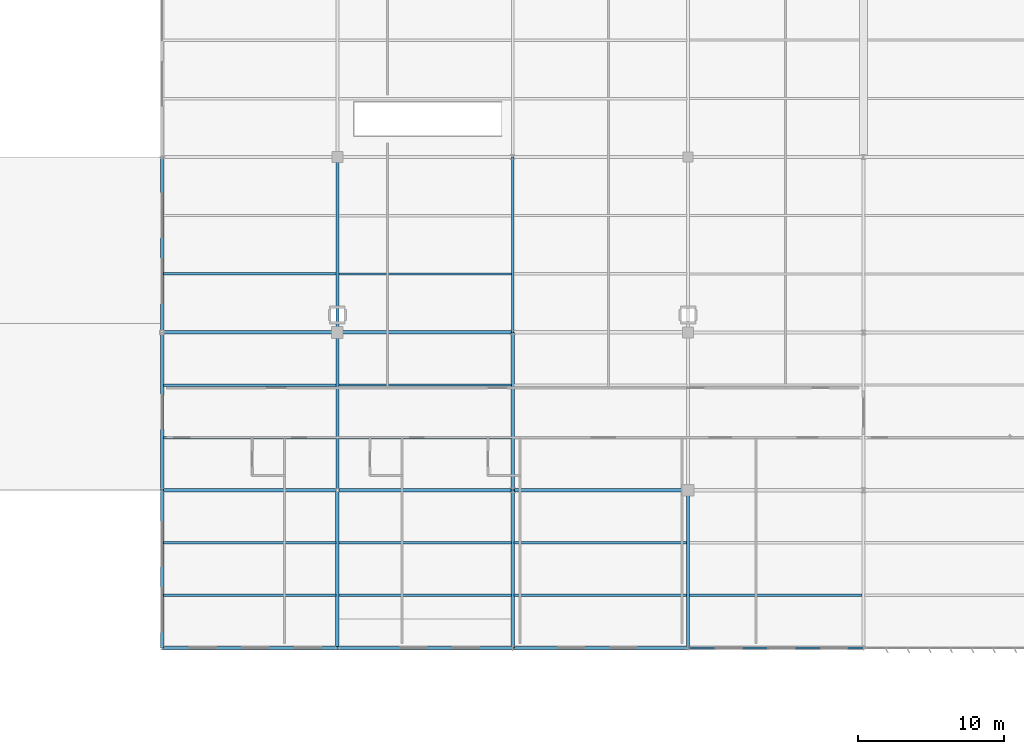
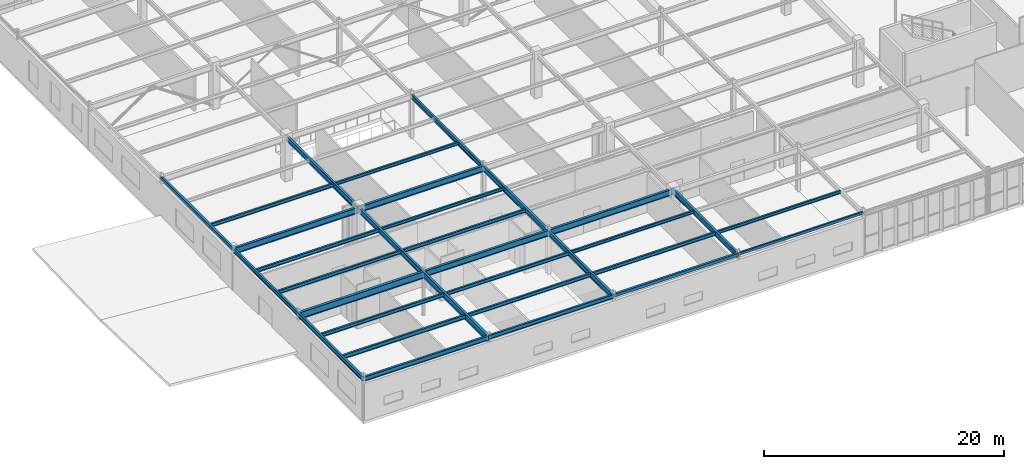
# One storey, part 67 of 199: 32 beams.
"""IFC4 building model written with IfcOpenShell, lengths in metres."""

import ifcopenshell
import ifcopenshell.guid

model = None  # the IFC model being written
_history = None  # IfcOwnerHistory: only IFC2X3 demands one
_inside = {}  # id of a spatial element -> (the spatial element, [elements in it])
_under = {}  # id of a project, library or spatial element -> (it, [spatial elements below it])
_declared = {}  # id of a project -> (the project, [libraries it declares])
_typed = {}  # id of a type object -> (the type object, [elements of that type])
_made_of = {}  # id of a material, layer set ... -> (it, [elements and type objects made of it])


def new_model(schema):
    """Start an empty IFC model of exactly this schema.

    Asked for "IFC4X3", IfcOpenShell would pick the latest addendum, in which some entities
    have other attributes; the version numbers below select the first issue.
    IFC2X3 requires an IfcOwnerHistory on every rooted entity: one is made here for all.
    """
    global model, _history
    if schema == "IFC4X3":
        model = ifcopenshell.file(schema_version=(4, 3, 0, 0))
    else:
        model = ifcopenshell.file(schema=schema)
    _inside.clear()
    _under.clear()
    _declared.clear()
    _typed.clear()
    _made_of.clear()
    _history = None
    if model.schema == "IFC2X3":
        org = make("IfcOrganization", Name="unknown")
        user = make(
            "IfcPersonAndOrganization",
            ThePerson=make("IfcPerson", FamilyName="unknown"),
            TheOrganization=org,
        )
        app = make(
            "IfcApplication",
            ApplicationDeveloper=org,
            Version="unknown",
            ApplicationFullName="unknown",
            ApplicationIdentifier="unknown",
        )
        _history = make(
            "IfcOwnerHistory",
            OwningUser=user,
            OwningApplication=app,
            ChangeAction="ADDED",
            CreationDate=0,
        )
    return model


def make(cls, **values):
    """One entity of the class cls with the attributes given. An attribute that is None is left unset."""
    return model.create_entity(
        cls, **{name: value for name, value in values.items() if value is not None}
    )


def rooted(cls, **values):
    """An entity with a GlobalId (a new one), such as an element, a storey or a relation."""
    return make(cls, GlobalId=ifcopenshell.guid.new(), OwnerHistory=_history, **values)


def si_unit(unit_type, name, prefix=None):
    """IfcSIUnit, for example si_unit("LENGTHUNIT", "METRE", prefix="MILLI")."""
    return make("IfcSIUnit", UnitType=unit_type, Prefix=prefix, Name=name)


def assignment(units):
    """IfcUnitAssignment: the units of a project."""
    return None if units is None else make("IfcUnitAssignment", Units=units)


def point(xyz):
    """IfcCartesianPoint."""
    return None if xyz is None else make("IfcCartesianPoint", Coordinates=xyz)


def direction(xyz):
    """IfcDirection."""
    return None if xyz is None else make("IfcDirection", DirectionRatios=xyz)


def frame(location, z_axis=None, x_axis=None):
    """IfcAxis2Placement3D, a coordinate frame: its origin and axes. An axis left out is left unset."""
    return make(
        "IfcAxis2Placement3D",
        Location=point(location),
        Axis=direction(z_axis),
        RefDirection=direction(x_axis),
    )


def frame_2d(location, x_axis=None):
    """IfcAxis2Placement2D, a coordinate frame in the plane: its origin and x axis."""
    return make(
        "IfcAxis2Placement2D", Location=point(location), RefDirection=direction(x_axis)
    )


def origin():
    """The frame at (0, 0, 0) with its axes left unset."""
    return frame((0.0, 0.0, 0.0))


def origin_2d():
    """The frame at (0, 0) in the plane with its x axis left unset."""
    return frame_2d((0.0, 0.0))


def place(relative_to, where):
    """IfcLocalPlacement: puts the frame where relative to a parent placement (None: the world)."""
    return make(
        "IfcLocalPlacement", PlacementRelTo=relative_to, RelativePlacement=where
    )


def context(
    kind, dimensions, precision=None, world=None, true_north=None, identifier=None
):
    """IfcGeometricRepresentationContext, for example the 3D "Model" context."""
    return make(
        "IfcGeometricRepresentationContext",
        ContextIdentifier=identifier,
        ContextType=kind,
        CoordinateSpaceDimension=dimensions,
        Precision=precision,
        WorldCoordinateSystem=world,
        TrueNorth=true_north,
    )


def subcontext(parent, identifier, kind, view, scale=None):
    """IfcGeometricRepresentationSubContext, for example "Body" below "Model"."""
    return make(
        "IfcGeometricRepresentationSubContext",
        ContextIdentifier=identifier,
        ContextType=kind,
        ParentContext=parent,
        TargetScale=scale,
        TargetView=view,
    )


def project(units=None, contexts=None):
    """IfcProject with its units and contexts."""
    return rooted(
        "IfcProject",
        Name="project",
        RepresentationContexts=contexts,
        UnitsInContext=assignment(units),
    )


def spatial(cls, under=None, at=None, **own):
    """A site, building, storey or space (cls), placed at a placement, below another one or the project."""
    s = rooted(cls, ObjectPlacement=at, **own)
    if under is not None:
        _under.setdefault(under.id(), (under, []))[1].append(s)
    return s


def profile(cls, at=None, kind="AREA", **sizes):
    """A parametric profile (cls). Its sizes go by their IFC names, for example OverallWidth=200.0."""
    return make(cls, ProfileType=kind, Position=at, **sizes)


def hollow_rectangle(**sizes):
    """IfcRectangleHollowProfileDef."""
    return profile("IfcRectangleHollowProfileDef", **sizes)


def i_section(**sizes):
    """IfcIShapeProfileDef."""
    return profile("IfcIShapeProfileDef", **sizes)


def extrude(swept, where, along, depth):
    """IfcExtrudedAreaSolid: the profile swept, set in the frame where, extruded along a direction by depth."""
    return make(
        "IfcExtrudedAreaSolid",
        SweptArea=swept,
        Position=where,
        ExtrudedDirection=direction(along),
        Depth=depth,
    )


def shape(context_of_items, identifier, shape_type, items):
    """IfcShapeRepresentation: the items that make up one representation, for example the "Body"."""
    return make(
        "IfcShapeRepresentation",
        ContextOfItems=context_of_items,
        RepresentationIdentifier=identifier,
        RepresentationType=shape_type,
        Items=items,
    )


def material(Name=None, Category=None):
    """IfcMaterial."""
    return make("IfcMaterial", Name=Name, Category=Category)


def material_profile(
    of_material, cross_section, Name=None, Category=None, Priority=None
):
    """IfcMaterialProfile: a cross section and its material."""
    return make(
        "IfcMaterialProfile",
        Name=Name,
        Material=of_material,
        Profile=cross_section,
        Priority=Priority,
        Category=Category,
    )


def profile_set(profiles, Name=None, composite=None):
    """IfcMaterialProfileSet."""
    return make(
        "IfcMaterialProfileSet",
        Name=Name,
        MaterialProfiles=profiles,
        CompositeProfile=composite,
    )


def made_of(thing, what):
    """Note that an element or type object is made of a material, layer set ...; save() writes the relation."""
    if what is not None:
        _made_of.setdefault(what.id(), (what, []))[1].append(thing)
    return thing


def type_object(cls, material=None, **own):
    """A type object (cls), such as IfcWallType, which elements share."""
    return made_of(rooted(cls, **own), material)


def element(
    cls,
    number,
    at=None,
    inside=None,
    cuts=None,
    type_object=None,
    material=None,
    context=None,
    identifier="Body",
    shape_type=None,
    held_by="IfcProductDefinitionShape",
    body=None,
    shapes=None,
    **own,
):
    """One element of the class cls, such as IfcWall. Its Tag is "e" and its number.

    at: its placement. inside: the storey or other place that contains it. cuts: it is an
    opening in that element (IfcRelVoidsElement). A single representation is given by context,
    identifier, shape_type and body (its items); several are given by shapes. held_by: the class
    of the entity that holds the representations. save() writes the other relations.
    """
    e = rooted(cls, Tag="e%d" % number, ObjectPlacement=at, **own)
    if body is not None:
        shapes = [shape(context, identifier, shape_type, body)]
    if shapes is not None:
        e.Representation = make(held_by, Representations=shapes)
    if inside is not None:
        _inside.setdefault(inside.id(), (inside, []))[1].append(e)
    if cuts is not None:
        rooted(
            "IfcRelVoidsElement", RelatingBuildingElement=cuts, RelatedOpeningElement=e
        )
    if type_object is not None:
        _typed.setdefault(type_object.id(), (type_object, []))[1].append(e)
    return made_of(e, material)


def aggregate(whole, parts):
    """IfcRelAggregates: a whole, such as a stair, and the parts it consists of."""
    return rooted("IfcRelAggregates", RelatingObject=whole, RelatedObjects=parts)


def save(model, path):
    """Write the relations noted so far, then the file.

    IfcRelAggregates (storeys below a building ...), IfcRelContainedInSpatialStructure (elements
    in a storey), IfcRelDefinesByType, IfcRelAssociatesMaterial and IfcRelDeclares: one each for
    every whole, place, type object, material and project.
    """
    for whole, parts in _under.values():
        aggregate(whole, parts)
    for where, things in _inside.values():
        rooted(
            "IfcRelContainedInSpatialStructure",
            RelatedElements=things,
            RelatingStructure=where,
        )
    for kind, things in _typed.values():
        rooted("IfcRelDefinesByType", RelatedObjects=things, RelatingType=kind)
    for what, things in _made_of.values():
        rooted("IfcRelAssociatesMaterial", RelatedObjects=things, RelatingMaterial=what)
    for by, libraries in _declared.values():
        rooted("IfcRelDeclares", RelatingContext=by, RelatedDefinitions=libraries)
    model.write(path)


model = new_model("IFC4")

# Units and contexts
model_context = context("Model", 3, precision=1e-05, world=origin(), true_north=direction((0.0, 1.0)))
body_context = subcontext(model_context, "Body", "Model", "MODEL_VIEW")
ifc_project = project(units=[si_unit("LENGTHUNIT", "METRE"), si_unit("AREAUNIT", "SQUARE_METRE"), si_unit("VOLUMEUNIT", "CUBIC_METRE"), si_unit("PLANEANGLEUNIT", "RADIAN"), si_unit("MASSUNIT", "GRAM", prefix="KILO")], contexts=[model_context])

# Site, building, storey
site_placement = place(None, origin())
site = spatial("IfcSite", under=ifc_project, at=site_placement, CompositionType="ELEMENT")
building_placement = place(site_placement, origin())
building = spatial("IfcBuilding", under=site, at=building_placement, Name="Tarnwether General Hospital", CompositionType="ELEMENT")
storey_placement = place(building_placement, origin())
storey = spatial("IfcBuildingStorey", under=building, at=storey_placement, Name="L00", CompositionType="ELEMENT", Elevation=0.0)

# Beams
ifc_material_1 = material(Name="Steel Grade 350 (350 MPa)", Category="steel")
ifc_material_profile_1 = material_profile(ifc_material_1, i_section(OverallWidth=0.25, OverallDepth=0.69189453125, WebThickness=0.009033203125, FlangeThickness=0.01611328125, at=origin_2d()), Name="700WB115")
ifc_profile_set_1 = profile_set([ifc_material_profile_1], Name="Steel Grade 350 (350 MPa)")
beam_type_1 = type_object("IfcBeamType", Name="BM-G02", PredefinedType="BEAM", material=ifc_profile_set_1)
beam_1_placement = place(storey_placement, frame((0.0, 10.800048828125, 4.09912109375), z_axis=(1.0, 0.0, 0.0), x_axis=(0.0, 1.0, 0.0)))
element("IfcBeam", 1, at=beam_1_placement, inside=storey, type_object=beam_type_1, Name="Primary Girder BMG-L00-0_1080-1200_1080-0581", PredefinedType="BEAM", context=body_context, shape_type="SweptSolid", body=[
    extrude(i_section(OverallWidth=0.25, OverallDepth=0.69189453125, WebThickness=0.009033203125, FlangeThickness=0.01611328125, at=origin_2d()), origin(), (0.0, 0.0, 1.0), 12.0),
])
ifc_material_2 = material(Name="Steel Grade 350 (350 MPa)", Category="steel")
ifc_material_profile_2 = material_profile(ifc_material_2, i_section(OverallWidth=0.22900390625, OverallDepth=0.612060546875, WebThickness=0.011962890625, FlangeThickness=0.01953125, at=origin_2d()), Name="610UB125")
ifc_profile_set_2 = profile_set([ifc_material_profile_2], Name="Steel Grade 350 (350 MPa)")
beam_type_2 = type_object("IfcBeamType", Name="BM-G03", PredefinedType="BEAM", material=ifc_profile_set_2)
for number, where, z_axis, x_axis, name in (
    (2, (0.0, 21.60009765625, 4.138916015625), (1.0, 0.0, 0.0), (0.0, 1.0, 0.0), "Primary Girder BMG-L00-0_2160-1200_2160-0583"),
    (3, (12.0, 10.800048828125, 4.138916015625), (1.0, 0.0, 0.0), (0.0, 1.0, 0.0), "Primary Girder BMG-L00-1200_1080-2400_1080-0604"),
):
    element("IfcBeam", number, at=place(storey_placement, frame(where, z_axis=z_axis, x_axis=x_axis)), inside=storey, type_object=beam_type_2, Name=name, PredefinedType="BEAM", context=body_context, shape_type="SweptSolid", body=[
        extrude(i_section(OverallWidth=0.22900390625, OverallDepth=0.612060546875, WebThickness=0.011962890625, FlangeThickness=0.01953125, at=origin_2d()), origin(), (0.0, 0.0, 1.0), 12.0),
    ])
ifc_material_3 = material(Name="Steel Grade 350 (350 MPa)", Category="steel")
ifc_material_profile_3 = material_profile(ifc_material_3, i_section(OverallWidth=0.22802734375, OverallDepth=0.60693359375, WebThickness=0.01123046875, FlangeThickness=0.017333984375, at=origin_2d()), Name="610UB113")
ifc_profile_set_3 = profile_set([ifc_material_profile_3], Name="Steel Grade 350 (350 MPa)")
beam_type_3 = type_object("IfcBeamType", Name="BM-G04", PredefinedType="BEAM", material=ifc_profile_set_3)
for number, where, z_axis, x_axis, name in (
    (4, (12.0, 21.60009765625, 4.1416015625), (1.0, 0.0, 0.0), (0.0, 1.0, 0.0), "Primary Girder BMG-L00-1200_2160-2400_2160-0606"),
    (5, (24.0, 10.800048828125, 4.1416015625), (1.0, 0.0, 0.0), (0.0, 1.0, 0.0), "Primary Girder BMG-L00-2400_1080-3600_1080-0627"),
):
    element("IfcBeam", number, at=place(storey_placement, frame(where, z_axis=z_axis, x_axis=x_axis)), inside=storey, type_object=beam_type_3, Name=name, PredefinedType="BEAM", context=body_context, shape_type="SweptSolid", body=[
        extrude(i_section(OverallWidth=0.22802734375, OverallDepth=0.60693359375, WebThickness=0.01123046875, FlangeThickness=0.017333984375, at=origin_2d()), origin(), (0.0, 0.0, 1.0), 12.0),
    ])
ifc_material_4 = material(Name="Steel Grade 350 (350 MPa)", Category="steel")
ifc_material_profile_4 = material_profile(ifc_material_4, i_section(OverallWidth=0.22802734375, OverallDepth=0.60205078125, WebThickness=0.010498046875, FlangeThickness=0.014892578125, at=origin_2d()), Name="610UB101")
ifc_profile_set_4 = profile_set([ifc_material_profile_4], Name="Steel Grade 350 (350 MPa)")
beam_type_4 = type_object("IfcBeamType", Name="BM-G05", PredefinedType="BEAM", material=ifc_profile_set_4)
beam_2_placement = place(storey_placement, frame((12.0, 0.0, 4.14404296875), z_axis=(0.0, 1.0, 0.0), x_axis=(-1.0, 0.0, 0.0)))
element("IfcBeam", 6, at=beam_2_placement, inside=storey, type_object=beam_type_4, Name="Primary Girder BMG-L00-1200_0-1200_1080-0603", PredefinedType="BEAM", context=body_context, shape_type="SweptSolid", body=[
    extrude(i_section(OverallWidth=0.22802734375, OverallDepth=0.60205078125, WebThickness=0.010498046875, FlangeThickness=0.014892578125, at=origin_2d()), origin(), (0.0, 0.0, 1.0), 10.800048828125),
])
ifc_material_5 = material(Name="Steel Grade 350 (350 MPa)", Category="steel")
ifc_material_profile_5 = material_profile(ifc_material_5, i_section(OverallWidth=0.208984375, OverallDepth=0.532958984375, WebThickness=0.01025390625, FlangeThickness=0.015625, at=origin_2d()), Name="530UB92.4")
ifc_profile_set_5 = profile_set([ifc_material_profile_5], Name="Steel Grade 350 (350 MPa)")
beam_type_5 = type_object("IfcBeamType", Name="BM-G06", PredefinedType="BEAM", material=ifc_profile_set_5)
for number, where, z_axis, x_axis, name in (
    (7, (12.0, 10.800048828125, 4.178466796875), (0.0, 1.0, 0.0), (-1.0, 0.0, 0.0), "Primary Girder BMG-L00-1200_1080-1200_2160-0605"),
    (8, (24.0, 0.0, 4.178466796875), (0.0, 1.0, 0.0), (-1.0, 0.0, 0.0), "Primary Girder BMG-L00-2400_0-2400_1080-0626"),
):
    element("IfcBeam", number, at=place(storey_placement, frame(where, z_axis=z_axis, x_axis=x_axis)), inside=storey, type_object=beam_type_5, Name=name, PredefinedType="BEAM", context=body_context, shape_type="SweptSolid", body=[
        extrude(i_section(OverallWidth=0.208984375, OverallDepth=0.532958984375, WebThickness=0.01025390625, FlangeThickness=0.015625, at=origin_2d()), origin(), (0.0, 0.0, 1.0), 10.800048828125),
    ])
ifc_material_6 = material(Name="Steel Grade 350 (350 MPa)", Category="steel")
ifc_material_profile_6 = material_profile(ifc_material_6, i_section(OverallWidth=0.208984375, OverallDepth=0.528076171875, WebThickness=0.009521484375, FlangeThickness=0.01318359375, at=origin_2d()), Name="530UB82.0")
ifc_profile_set_6 = profile_set([ifc_material_profile_6], Name="Steel Grade 350 (350 MPa)")
beam_type_6 = type_object("IfcBeamType", Name="BM-G07", PredefinedType="BEAM", material=ifc_profile_set_6)
beam_3_placement = place(storey_placement, frame((12.0, 21.60009765625, 4.180908203125), z_axis=(0.0, 1.0, 0.0), x_axis=(-1.0, 0.0, 0.0)))
element("IfcBeam", 9, at=beam_3_placement, inside=storey, type_object=beam_type_6, Name="Primary Girder BMG-L00-1200_2160-1200_3360-0607", PredefinedType="BEAM", context=body_context, shape_type="SweptSolid", body=[
    extrude(i_section(OverallWidth=0.208984375, OverallDepth=0.528076171875, WebThickness=0.009521484375, FlangeThickness=0.01318359375, at=origin_2d()), origin(), (0.0, 0.0, 1.0), 12.0),
])
for number, where, z_axis, x_axis, name in (
    (10, (24.0, 10.800048828125, 4.180908203125), (0.0, 1.0, 0.0), (-1.0, 0.0, 0.0), "Primary Girder BMG-L00-2400_1080-2400_2160-0628"),
    (11, (36.0, 0.0, 4.180908203125), (0.0, 1.0, 0.0), (-1.0, 0.0, 0.0), "Primary Girder BMG-L00-3600_0-3600_1080-0649"),
):
    element("IfcBeam", number, at=place(storey_placement, frame(where, z_axis=z_axis, x_axis=x_axis)), inside=storey, type_object=beam_type_6, Name=name, PredefinedType="BEAM", context=body_context, shape_type="SweptSolid", body=[
        extrude(i_section(OverallWidth=0.208984375, OverallDepth=0.528076171875, WebThickness=0.009521484375, FlangeThickness=0.01318359375, at=origin_2d()), origin(), (0.0, 0.0, 1.0), 10.800048828125),
    ])
ifc_material_7 = material(Name="Steel Grade 350 (350 MPa)", Category="steel")
ifc_material_profile_7 = material_profile(ifc_material_7, i_section(OverallWidth=0.19091796875, OverallDepth=0.4599609375, WebThickness=0.010009765625, FlangeThickness=0.01611328125, at=origin_2d()), Name="460UB82.1")
ifc_profile_set_7 = profile_set([ifc_material_profile_7], Name="Steel Grade 350 (350 MPa)")
beam_type_7 = type_object("IfcBeamType", Name="BM-G08", PredefinedType="BEAM", material=ifc_profile_set_7)
beam_4_placement = place(storey_placement, frame((24.0, 21.60009765625, 4.215087890625), z_axis=(0.0, 1.0, 0.0), x_axis=(-1.0, 0.0, 0.0)))
element("IfcBeam", 12, at=beam_4_placement, inside=storey, type_object=beam_type_7, Name="Primary Girder BMG-L00-2400_2160-2400_3360-0630", PredefinedType="BEAM", context=body_context, shape_type="SweptSolid", body=[
    extrude(i_section(OverallWidth=0.19091796875, OverallDepth=0.4599609375, WebThickness=0.010009765625, FlangeThickness=0.01611328125, at=origin_2d()), origin(), (0.0, 0.0, 1.0), 12.0),
])
ifc_material_8 = material(Name="Steel Grade 350 (350 MPa)", Category="steel")
ifc_material_profile_8 = material_profile(ifc_material_8, i_section(OverallWidth=0.177978515625, OverallDepth=0.403076171875, WebThickness=0.007568359375, FlangeThickness=0.010986328125, at=origin_2d()), Name="410UB53.7")
ifc_profile_set_8 = profile_set([ifc_material_profile_8], Name="Steel Grade 350 (350 MPa)")
beam_type_8 = type_object("IfcBeamType", Name="BM-J02", PredefinedType="JOIST", material=ifc_profile_set_8)
beam_5_placement = place(storey_placement, frame((0.089111328125, 3.60009765625, 4.243408203125), z_axis=(1.0, 0.0, 0.0), x_axis=(0.0, 1.0, 0.0)))
element("IfcBeam", 13, at=beam_5_placement, inside=storey, type_object=beam_type_8, Name="Composite Floor Joist BMG-L00-9_360-1189_360-0863", PredefinedType="JOIST", context=body_context, shape_type="SweptSolid", body=[
    extrude(i_section(OverallWidth=0.177978515625, OverallDepth=0.403076171875, WebThickness=0.007568359375, FlangeThickness=0.010986328125, at=origin_2d()), origin(), (0.0, 0.0, 1.0), 11.802978515625),
])
ifc_material_9 = material(Name="Steel Grade 350 (350 MPa)", Category="steel")
ifc_material_profile_9 = material_profile(ifc_material_9, i_section(OverallWidth=0.172119140625, OverallDepth=0.35888671875, WebThickness=0.008056640625, FlangeThickness=0.012939453125, at=origin_2d()), Name="360UB56.7")
ifc_profile_set_9 = profile_set([ifc_material_profile_9], Name="Steel Grade 350 (350 MPa)")
beam_type_9 = type_object("IfcBeamType", Name="BM-J03", PredefinedType="JOIST", material=ifc_profile_set_9)
beam_6_placement = place(storey_placement, frame((0.089111328125, 7.199951171875, 4.265380859375), z_axis=(1.0, 0.0, 0.0), x_axis=(0.0, 1.0, 0.0)))
element("IfcBeam", 14, at=beam_6_placement, inside=storey, type_object=beam_type_9, Name="Composite Floor Joist BMG-L00-9_720-1189_720-0864", PredefinedType="JOIST", context=body_context, shape_type="SweptSolid", body=[
    extrude(i_section(OverallWidth=0.172119140625, OverallDepth=0.35888671875, WebThickness=0.008056640625, FlangeThickness=0.012939453125, at=origin_2d()), origin(), (0.0, 0.0, 1.0), 11.802978515625),
])
beam_7_placement = place(storey_placement, frame((0.0830078125, 14.39990234375, 4.265380859375), z_axis=(1.0, 0.0, 0.0), x_axis=(0.0, 1.0, 0.0)))
element("IfcBeam", 15, at=beam_7_placement, inside=storey, type_object=beam_type_9, Name="Composite Floor Joist BMG-L00-8_1440-1190_1440-0865", PredefinedType="JOIST", context=body_context, shape_type="SweptSolid", body=[
    extrude(i_section(OverallWidth=0.172119140625, OverallDepth=0.35888671875, WebThickness=0.008056640625, FlangeThickness=0.012939453125, at=origin_2d()), origin(), (0.0, 0.0, 1.0), 11.819091796875),
])
beam_8_placement = place(storey_placement, frame((12.10791015625, 3.60009765625, 4.265380859375), z_axis=(1.0, 0.0, 0.0), x_axis=(0.0, 1.0, 0.0)))
element("IfcBeam", 16, at=beam_8_placement, inside=storey, type_object=beam_type_9, Name="Composite Floor Joist BMG-L00-1211_360-2390_360-0885", PredefinedType="JOIST", context=body_context, shape_type="SweptSolid", body=[
    extrude(i_section(OverallWidth=0.172119140625, OverallDepth=0.35888671875, WebThickness=0.008056640625, FlangeThickness=0.012939453125, at=origin_2d()), origin(), (0.0, 0.0, 1.0), 11.79296875),
])
ifc_material_10 = material(Name="Steel Grade 350 (350 MPa)", Category="steel")
ifc_material_profile_10 = material_profile(ifc_material_10, i_section(OverallWidth=0.1708984375, OverallDepth=0.35595703125, WebThickness=0.00732421875, FlangeThickness=0.011474609375, at=origin_2d()), Name="360UB50.7")
ifc_profile_set_10 = profile_set([ifc_material_profile_10], Name="Steel Grade 350 (350 MPa)")
beam_type_10 = type_object("IfcBeamType", Name="BM-J04", PredefinedType="JOIST", material=ifc_profile_set_10)
beam_9_placement = place(storey_placement, frame((0.0830078125, 18.0, 4.26708984375), z_axis=(1.0, 0.0, 0.0), x_axis=(0.0, 1.0, 0.0)))
element("IfcBeam", 17, at=beam_9_placement, inside=storey, type_object=beam_type_10, Name="Composite Floor Joist BMG-L00-8_1800-1190_1800-0866", PredefinedType="JOIST", context=body_context, shape_type="SweptSolid", body=[
    extrude(i_section(OverallWidth=0.1708984375, OverallDepth=0.35595703125, WebThickness=0.00732421875, FlangeThickness=0.011474609375, at=origin_2d()), origin(), (0.0, 0.0, 1.0), 11.819091796875),
])
beam_10_placement = place(storey_placement, frame((0.093994140625, 25.60009765625, 4.26708984375), z_axis=(1.0, 0.0, 0.0), x_axis=(0.0, 1.0, 0.0)))
element("IfcBeam", 18, at=beam_10_placement, inside=storey, type_object=beam_type_10, Name="Composite Floor Joist BMG-L00-9_2560-1190_2560-0867", PredefinedType="JOIST", context=body_context, shape_type="SweptSolid", body=[
    extrude(i_section(OverallWidth=0.1708984375, OverallDepth=0.35595703125, WebThickness=0.00732421875, FlangeThickness=0.011474609375, at=origin_2d()), origin(), (0.0, 0.0, 1.0), 11.80810546875),
])
beam_11_placement = place(storey_placement, frame((12.10791015625, 7.199951171875, 4.26708984375), z_axis=(1.0, 0.0, 0.0), x_axis=(0.0, 1.0, 0.0)))
element("IfcBeam", 19, at=beam_11_placement, inside=storey, type_object=beam_type_10, Name="Composite Floor Joist BMG-L00-1211_720-2390_720-0886", PredefinedType="JOIST", context=body_context, shape_type="SweptSolid", body=[
    extrude(i_section(OverallWidth=0.1708984375, OverallDepth=0.35595703125, WebThickness=0.00732421875, FlangeThickness=0.011474609375, at=origin_2d()), origin(), (0.0, 0.0, 1.0), 11.79296875),
])
beam_12_placement = place(storey_placement, frame((12.097900390625, 14.39990234375, 4.26708984375), z_axis=(1.0, 0.0, 0.0), x_axis=(0.0, 1.0, 0.0)))
element("IfcBeam", 20, at=beam_12_placement, inside=storey, type_object=beam_type_10, Name="Composite Floor Joist BMG-L00-1210_1440-2390_1440-0887", PredefinedType="JOIST", context=body_context, shape_type="SweptSolid", body=[
    extrude(i_section(OverallWidth=0.1708984375, OverallDepth=0.35595703125, WebThickness=0.00732421875, FlangeThickness=0.011474609375, at=origin_2d()), origin(), (0.0, 0.0, 1.0), 11.802978515625),
])
beam_13_placement = place(storey_placement, frame((24.09912109375, 3.60009765625, 4.26708984375), z_axis=(1.0, 0.0, 0.0), x_axis=(0.0, 1.0, 0.0)))
element("IfcBeam", 21, at=beam_13_placement, inside=storey, type_object=beam_type_10, Name="Composite Floor Joist BMG-L00-2410_360-3590_360-0907", PredefinedType="JOIST", context=body_context, shape_type="SweptSolid", body=[
    extrude(i_section(OverallWidth=0.1708984375, OverallDepth=0.35595703125, WebThickness=0.00732421875, FlangeThickness=0.011474609375, at=origin_2d()), origin(), (0.0, 0.0, 1.0), 11.8017578125),
])
ifc_material_11 = material(Name="Steel Grade 350 (350 MPa)", Category="steel")
ifc_material_profile_11 = material_profile(ifc_material_11, i_section(OverallWidth=0.166015625, OverallDepth=0.306884765625, WebThickness=0.006591796875, FlangeThickness=0.01171875, at=origin_2d()), Name="310UB46.2")
ifc_profile_set_11 = profile_set([ifc_material_profile_11], Name="Steel Grade 350 (350 MPa)")
beam_type_11 = type_object("IfcBeamType", Name="BM-J05", PredefinedType="JOIST", material=ifc_profile_set_11)
beam_14_placement = place(storey_placement, frame((12.097900390625, 18.0, 4.29150390625), z_axis=(1.0, 0.0, 0.0), x_axis=(0.0, 1.0, 0.0)))
element("IfcBeam", 22, at=beam_14_placement, inside=storey, type_object=beam_type_11, Name="Composite Floor Joist BMG-L00-1210_1800-2390_1800-0888", PredefinedType="JOIST", context=body_context, shape_type="SweptSolid", body=[
    extrude(i_section(OverallWidth=0.166015625, OverallDepth=0.306884765625, WebThickness=0.006591796875, FlangeThickness=0.01171875, at=origin_2d()), origin(), (0.0, 0.0, 1.0), 11.802978515625),
])
beam_15_placement = place(storey_placement, frame((12.097900390625, 25.60009765625, 4.29150390625), z_axis=(1.0, 0.0, 0.0), x_axis=(0.0, 1.0, 0.0)))
element("IfcBeam", 23, at=beam_15_placement, inside=storey, type_object=beam_type_11, Name="Composite Floor Joist BMG-L00-1210_2560-2391_2560-0889", PredefinedType="JOIST", context=body_context, shape_type="SweptSolid", body=[
    extrude(i_section(OverallWidth=0.166015625, OverallDepth=0.306884765625, WebThickness=0.006591796875, FlangeThickness=0.01171875, at=origin_2d()), origin(), (0.0, 0.0, 1.0), 11.81201171875),
])
beam_16_placement = place(storey_placement, frame((24.09912109375, 7.199951171875, 4.29150390625), z_axis=(1.0, 0.0, 0.0), x_axis=(0.0, 1.0, 0.0)))
element("IfcBeam", 24, at=beam_16_placement, inside=storey, type_object=beam_type_11, Name="Composite Floor Joist BMG-L00-2410_720-3590_720-0908", PredefinedType="JOIST", context=body_context, shape_type="SweptSolid", body=[
    extrude(i_section(OverallWidth=0.166015625, OverallDepth=0.306884765625, WebThickness=0.006591796875, FlangeThickness=0.01171875, at=origin_2d()), origin(), (0.0, 0.0, 1.0), 11.8017578125),
])
beam_17_placement = place(storey_placement, frame((36.09912109375, 3.60009765625, 4.29150390625), z_axis=(1.0, 0.0, 0.0), x_axis=(0.0, 1.0, 0.0)))
element("IfcBeam", 25, at=beam_17_placement, inside=storey, type_object=beam_type_11, Name="Composite Floor Joist BMG-L00-3610_360-4791_360-0925", PredefinedType="JOIST", context=body_context, shape_type="SweptSolid", body=[
    extrude(i_section(OverallWidth=0.166015625, OverallDepth=0.306884765625, WebThickness=0.006591796875, FlangeThickness=0.01171875, at=origin_2d()), origin(), (0.0, 0.0, 1.0), 11.810791015625),
])
ifc_material_12 = material(Name="Steel Grade 350 (350 MPa)", Category="steel")
ifc_material_profile_12 = material_profile(ifc_material_12, i_section(OverallWidth=0.18994140625, OverallDepth=0.4541015625, WebThickness=0.008544921875, FlangeThickness=0.0126953125, at=origin_2d()), Name="460UB67.1")
ifc_profile_set_12 = profile_set([ifc_material_profile_12], Name="Steel Grade 350 (350 MPa)")
beam_type_12 = type_object("IfcBeamType", Name="BM-SP1", PredefinedType="SPANDREL", material=ifc_profile_set_12)
beam_18_placement = place(storey_placement, frame((0.0, 0.0, 4.218017578125), z_axis=(1.0, 0.0, 0.0), x_axis=(0.0, 1.0, 0.0)))
element("IfcBeam", 26, at=beam_18_placement, inside=storey, type_object=beam_type_12, Name="Primary Girder BMG-L00-0_0-1200_0-0579", PredefinedType="SPANDREL", context=body_context, shape_type="SweptSolid", body=[
    extrude(i_section(OverallWidth=0.18994140625, OverallDepth=0.4541015625, WebThickness=0.008544921875, FlangeThickness=0.0126953125, at=origin_2d()), origin(), (0.0, 0.0, 1.0), 12.0),
])
beam_19_placement = place(storey_placement, frame((0.0, 0.0, 4.218017578125), z_axis=(0.0, 1.0, 0.0), x_axis=(-1.0, 0.0, 0.0)))
element("IfcBeam", 27, at=beam_19_placement, inside=storey, type_object=beam_type_12, Name="Primary Girder BMG-L00-0_0-0_1080-0580", PredefinedType="SPANDREL", context=body_context, shape_type="SweptSolid", body=[
    extrude(i_section(OverallWidth=0.18994140625, OverallDepth=0.4541015625, WebThickness=0.008544921875, FlangeThickness=0.0126953125, at=origin_2d()), origin(), (0.0, 0.0, 1.0), 10.800048828125),
])
ifc_material_13 = material(Name="Steel Grade 350 (350 MPa)", Category="steel")
ifc_material_profile_13 = material_profile(ifc_material_13, i_section(OverallWidth=0.177978515625, OverallDepth=0.403076171875, WebThickness=0.007568359375, FlangeThickness=0.010986328125, at=origin_2d()), Name="410UB53.7")
ifc_profile_set_13 = profile_set([ifc_material_profile_13], Name="Steel Grade 350 (350 MPa)")
beam_type_13 = type_object("IfcBeamType", Name="BM-SP2", PredefinedType="SPANDREL", material=ifc_profile_set_13)
beam_20_placement = place(storey_placement, frame((0.0, 10.800048828125, 4.243408203125), z_axis=(0.0, 1.0, 0.0), x_axis=(-1.0, 0.0, 0.0)))
element("IfcBeam", 28, at=beam_20_placement, inside=storey, type_object=beam_type_13, Name="Primary Girder BMG-L00-0_1080-0_2160-0582", PredefinedType="SPANDREL", context=body_context, shape_type="SweptSolid", body=[
    extrude(i_section(OverallWidth=0.177978515625, OverallDepth=0.403076171875, WebThickness=0.007568359375, FlangeThickness=0.010986328125, at=origin_2d()), origin(), (0.0, 0.0, 1.0), 10.800048828125),
])
beam_21_placement = place(storey_placement, frame((12.0, 0.0, 4.243408203125), z_axis=(1.0, 0.0, 0.0), x_axis=(0.0, 1.0, 0.0)))
element("IfcBeam", 29, at=beam_21_placement, inside=storey, type_object=beam_type_13, Name="Primary Girder BMG-L00-1200_0-2400_0-0602", PredefinedType="SPANDREL", context=body_context, shape_type="SweptSolid", body=[
    extrude(i_section(OverallWidth=0.177978515625, OverallDepth=0.403076171875, WebThickness=0.007568359375, FlangeThickness=0.010986328125, at=origin_2d()), origin(), (0.0, 0.0, 1.0), 12.0),
])
ifc_material_14 = material(Name="Steel Grade C350L0 (350 MPa)", Category="steel")
ifc_material_profile_14 = material_profile(ifc_material_14, hollow_rectangle(XDim=0.199951171875, YDim=0.300048828125, WallThickness=0.012451171875, at=origin_2d()), Name="RHS300x200x12.5")
ifc_profile_set_14 = profile_set([ifc_material_profile_14], Name="Steel Grade C350L0 (350 MPa)")
beam_type_14 = type_object("IfcBeamType", Name="BM-SP3", PredefinedType="SPANDREL", material=ifc_profile_set_14)
for number, where, z_axis, x_axis, name in (
    (30, (0.0, 21.60009765625, 4.294921875), (0.0, 1.0, 0.0), (-1.0, 0.0, 0.0), "Primary Girder BMG-L00-0_2160-0_3360-0584"),
    (31, (24.0, 0.0, 4.294921875), (1.0, 0.0, 0.0), (0.0, 1.0, 0.0), "Primary Girder BMG-L00-2400_0-3600_0-0625"),
):
    element("IfcBeam", number, at=place(storey_placement, frame(where, z_axis=z_axis, x_axis=x_axis)), inside=storey, type_object=beam_type_14, Name=name, PredefinedType="SPANDREL", context=body_context, shape_type="SweptSolid", body=[
        extrude(hollow_rectangle(XDim=0.199951171875, YDim=0.300048828125, WallThickness=0.012451171875, at=origin_2d()), origin(), (0.0, 0.0, 1.0), 12.0),
    ])
ifc_material_15 = material(Name="Steel Grade C350L0 (350 MPa)", Category="steel")
ifc_material_profile_15 = material_profile(ifc_material_15, hollow_rectangle(XDim=0.14990234375, YDim=0.25, WallThickness=0.010009765625, at=origin_2d()), Name="RHS250x150x10")
ifc_profile_set_15 = profile_set([ifc_material_profile_15], Name="Steel Grade C350L0 (350 MPa)")
beam_type_15 = type_object("IfcBeamType", Name="BM-SP4", PredefinedType="SPANDREL", material=ifc_profile_set_15)
beam_22_placement = place(storey_placement, frame((36.0, 0.0, 4.320068359375), z_axis=(1.0, 0.0, 0.0), x_axis=(0.0, 1.0, 0.0)))
element("IfcBeam", 32, at=beam_22_placement, inside=storey, type_object=beam_type_15, Name="Primary Girder BMG-L00-3600_0-4800_0-0648", PredefinedType="SPANDREL", context=body_context, shape_type="SweptSolid", body=[
    extrude(hollow_rectangle(XDim=0.14990234375, YDim=0.25, WallThickness=0.010009765625, at=origin_2d()), origin(), (0.0, 0.0, 1.0), 12.0),
])

save(model, "model.ifc")
